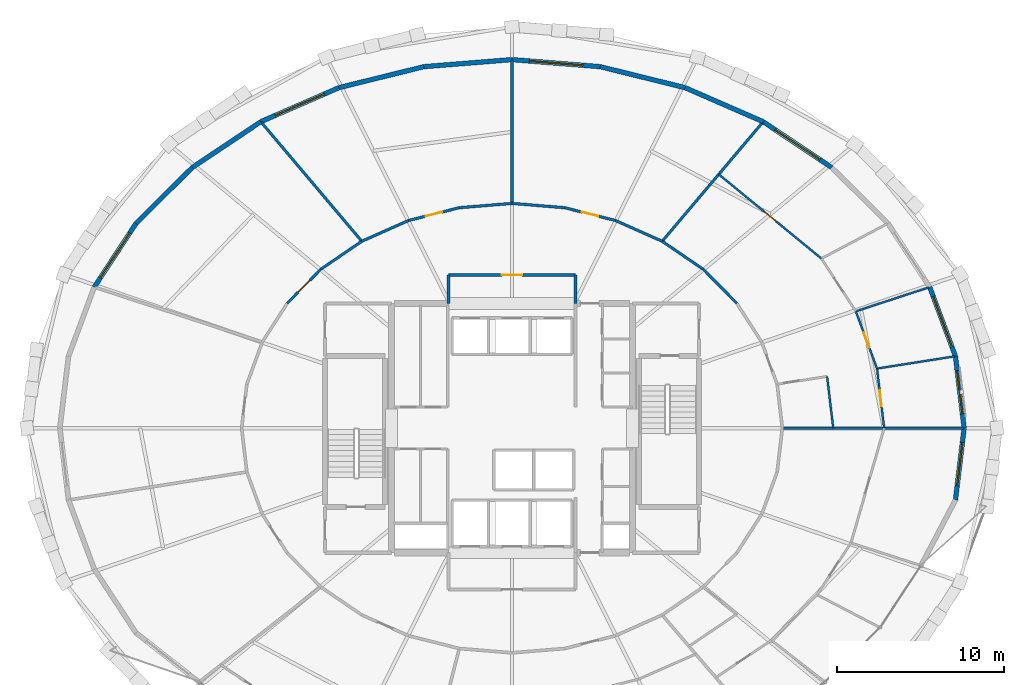
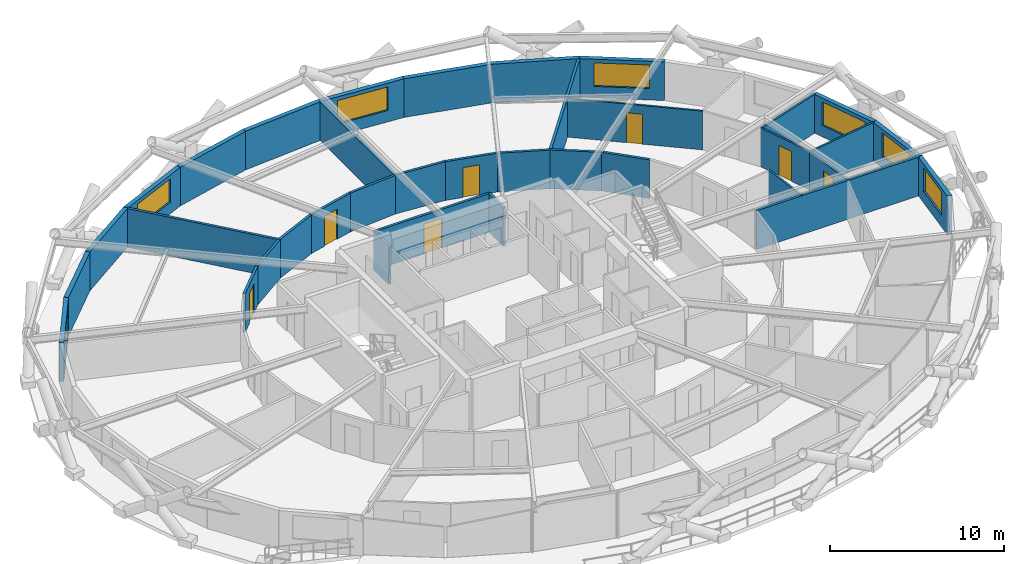
# One storey, part 16 of 19: 36 walls, 7 doors, 7 windows, 14 openings.
"""IFC4 building model written with IfcOpenShell, lengths in metres."""

from ifc_helpers import new_model, si_unit, direction, frame, frame_2d, origin, place, context, subcontext, project, spatial, rectangle, extrude, material, layer, layer_set, type_object, element, fill, save


model = new_model("IFC4")

# Units and contexts
model_context = context("Model", 3, precision=1e-05, world=origin(), true_north=direction((0.0, 1.0)))
body_context = subcontext(model_context, "Body", "Model", "MODEL_VIEW")
ifc_project = project(units=[si_unit("LENGTHUNIT", "METRE"), si_unit("AREAUNIT", "SQUARE_METRE"), si_unit("VOLUMEUNIT", "CUBIC_METRE"), si_unit("PLANEANGLEUNIT", "RADIAN"), si_unit("MASSUNIT", "GRAM", prefix="KILO")], contexts=[model_context])

# Site, building, storey
site_placement = place(None, origin())
site = spatial("IfcSite", under=ifc_project, at=site_placement, CompositionType="ELEMENT")
building_placement = place(site_placement, origin())
building = spatial("IfcBuilding", under=site, at=building_placement, Name="Veldorina Hangang Commons", CompositionType="ELEMENT")
storey_placement = place(building_placement, frame((0.0, 0.0, 77.199951171875)))
storey = spatial("IfcBuildingStorey", under=building, at=storey_placement, Name="L19", CompositionType="ELEMENT", Elevation=77.199951171875)

# Wall, opening, window
ifc_material_1 = material(Name="Stone Roman Travertine", Category="masonry")
ifc_layer_1 = layer(ifc_material_1, 0.280029296875)
ifc_layer_set_1 = layer_set([ifc_layer_1], Name="Stone Roman Travertine")
wall_type_1 = type_object("IfcWallType", Name="EW-TRAV-280", PredefinedType="STANDARD", material=ifc_layer_set_1)
wall_1_placement = place(storey_placement, frame((59.030517578125, 24.0, 0.0), z_axis=(0.0, 0.0, 1.0), x_axis=(-0.119945698674, 0.992780453761, 0.0)))
wall_1 = element("IfcWall", 1, at=wall_1_placement, inside=storey, type_object=wall_type_1, Name="L19 travertine facade wall 00", PredefinedType="STANDARD", context=body_context, shape_type="SweptSolid", body=[
    extrude(rectangle(XDim=4.329345703125, YDim=0.280029296875, at=frame_2d((2.16455078125, 0.0))), origin(), (0.0, 0.0, 1.0), 2.7099609375),
])
opening_1_placement = place(wall_1_placement, frame((0.864501953125, 0.0, 0.800048828125)))
opening_1 = element("IfcOpeningElement", 2, at=opening_1_placement, cuts=wall_1, Name="Opening W-02", PredefinedType="OPENING", context=body_context, shape_type="SweptSolid", body=[
    extrude(rectangle(XDim=2.60009765625, YDim=1.64990234375, at=frame_2d((1.300048828125, 0.824951171875))), frame((0.0, 0.14990234375, 0.0), z_axis=(0.0, -1.0, 0.0), x_axis=(1.0, 0.0, 0.0)), (0.0, 0.0, 1.0), 0.300048828125),
])
ifc_material_2 = material(Name="Glass Low-E Triple IGU", Category="glass")
window_type_1 = type_object("IfcWindowType", Name="WIN-TWR-2600", PartitioningType="SINGLE_PANEL", PredefinedType="WINDOW", material=ifc_material_2)
window_1_placement = place(opening_1_placement, origin())
window_1 = element("IfcWindow", 3, at=window_1_placement, inside=storey, type_object=window_type_1, Name="L19 facade window 00", OverallHeight=1.64990234375, OverallWidth=2.60009765625, PartitioningType="SINGLE_PANEL", PredefinedType="WINDOW", context=body_context, shape_type="SweptSolid", body=[
    extrude(rectangle(XDim=2.60009765625, YDim=1.64990234375, at=frame_2d((1.300048828125, 0.824951171875))), frame((0.0, 0.030029296875, 0.0), z_axis=(0.0, -1.0, 0.0), x_axis=(1.0, 0.0, 0.0)), (0.0, 0.0, 1.0), 0.06005859375),
])
fill(opening_1, window_1)

wall_2_placement = place(storey_placement, frame((58.51123046875, 28.298095703125, 0.0), z_axis=(0.0, 0.0, 1.0), x_axis=(-0.348859248306, 0.93717513031, 0.0)))
wall_2 = element("IfcWall", 4, at=wall_2_placement, inside=storey, type_object=wall_type_1, Name="L19 travertine facade wall 01", PredefinedType="STANDARD", context=body_context, shape_type="SweptSolid", body=[
    extrude(rectangle(XDim=4.40966796875, YDim=0.280029296875, at=frame_2d((2.204833984375, 0.0))), origin(), (0.0, 0.0, 1.0), 2.7099609375),
])
opening_2_placement = place(wall_2_placement, frame((0.604736328125, 0.0, 0.800048828125)))
opening_2 = element("IfcOpeningElement", 5, at=opening_2_placement, cuts=wall_2, Name="Opening W-01", PredefinedType="OPENING", context=body_context, shape_type="SweptSolid", body=[
    extrude(rectangle(XDim=3.199951171875, YDim=1.64990234375, at=frame_2d((1.60009765625, 0.824951171875))), frame((0.0, 0.14990234375, 0.0), z_axis=(0.0, -1.0, 0.0), x_axis=(1.0, 0.0, 0.0)), (0.0, 0.0, 1.0), 0.300048828125),
])
window_type_2 = type_object("IfcWindowType", Name="WIN-TWR-3200", PartitioningType="SINGLE_PANEL", PredefinedType="WINDOW", material=ifc_material_2)
window_2_placement = place(opening_2_placement, origin())
window_2 = element("IfcWindow", 6, at=window_2_placement, inside=storey, type_object=window_type_2, Name="L19 facade window 01", OverallHeight=1.64990234375, OverallWidth=3.199951171875, PartitioningType="SINGLE_PANEL", PredefinedType="WINDOW", context=body_context, shape_type="SweptSolid", body=[
    extrude(rectangle(XDim=3.199951171875, YDim=1.64990234375, at=frame_2d((1.60009765625, 0.824951171875))), frame((0.0, 0.030029296875, 0.0), z_axis=(0.0, -1.0, 0.0), x_axis=(1.0, 0.0, 0.0)), (0.0, 0.0, 1.0), 0.06005859375),
])
fill(opening_2, window_2)

wall_3_placement = place(storey_placement, frame((51.113525390625, 39.577880859375, 0.0), z_axis=(0.0, 0.0, 1.0), x_axis=(-0.83118805146, 0.555991387623, 0.0)))
wall_3 = element("IfcWall", 7, at=wall_3_placement, inside=storey, type_object=wall_type_1, Name="L19 travertine facade wall 04", PredefinedType="STANDARD", context=body_context, shape_type="SweptSolid", body=[
    extrude(rectangle(XDim=4.92822265625, YDim=0.280029296875, at=frame_2d((2.464111328125, 0.0))), origin(), (0.0, 0.0, 1.0), 2.7099609375),
])
opening_3_placement = place(wall_3_placement, frame((0.864013671875, 0.0, 0.800048828125)))
opening_3 = element("IfcOpeningElement", 8, at=opening_3_placement, cuts=wall_3, Name="Opening W-01", PredefinedType="OPENING", context=body_context, shape_type="SweptSolid", body=[
    extrude(rectangle(XDim=3.199951171875, YDim=1.64990234375, at=frame_2d((1.60009765625, 0.824951171875))), frame((0.0, 0.14990234375, 0.0), z_axis=(0.0, -1.0, 0.0), x_axis=(1.0, 0.0, 0.0)), (0.0, 0.0, 1.0), 0.300048828125),
])
window_3_placement = place(opening_3_placement, origin())
window_3 = element("IfcWindow", 9, at=window_3_placement, inside=storey, type_object=window_type_2, Name="L19 facade window 04", OverallHeight=1.64990234375, OverallWidth=3.199951171875, PartitioningType="SINGLE_PANEL", PredefinedType="WINDOW", context=body_context, shape_type="SweptSolid", body=[
    extrude(rectangle(XDim=3.199951171875, YDim=1.64990234375, at=frame_2d((1.60009765625, 0.824951171875))), frame((0.0, 0.030029296875, 0.0), z_axis=(0.0, -1.0, 0.0), x_axis=(1.0, 0.0, 0.0)), (0.0, 0.0, 1.0), 0.06005859375),
])
fill(opening_3, window_3)

# Walls
wall_4_placement = place(storey_placement, frame((47.017333984375, 42.31787109375, 0.0), z_axis=(0.0, 0.0, 1.0), x_axis=(-0.916792657637, 0.399363522249, 0.0)))
element("IfcWall", 10, at=wall_4_placement, inside=storey, type_object=wall_type_1, Name="L19 travertine facade wall 05", PredefinedType="STANDARD", context=body_context, shape_type="SweptSolid", body=[
    extrude(rectangle(XDim=5.09716796875, YDim=0.280029296875, at=frame_2d((2.548583984375, 0.0))), origin(), (0.0, 0.0, 1.0), 2.7099609375),
])
wall_5_placement = place(storey_placement, frame((42.34423828125, 44.353515625, 0.0), z_axis=(0.0, 0.0, 1.0), x_axis=(-0.970760664904, 0.240049435481, 0.0)))
element("IfcWall", 11, at=wall_5_placement, inside=storey, type_object=wall_type_1, Name="L19 travertine facade wall 06", PredefinedType="STANDARD", context=body_context, shape_type="SweptSolid", body=[
    extrude(rectangle(XDim=5.2236328125, YDim=0.280029296875, at=frame_2d((2.61181640625, 0.0))), origin(), (0.0, 0.0, 1.0), 2.7099609375),
])

# Wall, opening, window
wall_6_placement = place(storey_placement, frame((37.2734375, 45.607421875, 0.0), z_axis=(0.0, 0.0, 1.0), x_axis=(-0.996796910355, 0.079974492854, 0.0)))
wall_6 = element("IfcWall", 12, at=wall_6_placement, inside=storey, type_object=wall_type_1, Name="L19 travertine facade wall 07", PredefinedType="STANDARD", context=body_context, shape_type="SweptSolid", body=[
    extrude(rectangle(XDim=5.290283203125, YDim=0.280029296875, at=frame_2d((2.64501953125, 0.0))), origin(), (0.0, 0.0, 1.0), 2.7099609375),
])
opening_4_placement = place(wall_6_placement, frame((1.045166015625, 0.0, 0.800048828125)))
opening_4 = element("IfcOpeningElement", 13, at=opening_4_placement, cuts=wall_6, Name="Opening W-01", PredefinedType="OPENING", context=body_context, shape_type="SweptSolid", body=[
    extrude(rectangle(XDim=3.199951171875, YDim=1.64990234375, at=frame_2d((1.60009765625, 0.824951171875))), frame((0.0, 0.14990234375, 0.0), z_axis=(0.0, -1.0, 0.0), x_axis=(1.0, 0.0, 0.0)), (0.0, 0.0, 1.0), 0.300048828125),
])
window_4_placement = place(opening_4_placement, origin())
window_4 = element("IfcWindow", 14, at=window_4_placement, inside=storey, type_object=window_type_2, Name="L19 facade window 07", OverallHeight=1.64990234375, OverallWidth=3.199951171875, PartitioningType="SINGLE_PANEL", PredefinedType="WINDOW", context=body_context, shape_type="SweptSolid", body=[
    extrude(rectangle(XDim=3.199951171875, YDim=1.64990234375, at=frame_2d((1.60009765625, 0.824951171875))), frame((0.0, 0.030029296875, 0.0), z_axis=(0.0, -1.0, 0.0), x_axis=(1.0, 0.0, 0.0)), (0.0, 0.0, 1.0), 0.06005859375),
])
fill(opening_4, window_4)

# Walls
wall_7_placement = place(storey_placement, frame((32.0, 46.030517578125, 0.0), z_axis=(0.0, 0.0, 1.0), x_axis=(-0.996796910355, -0.079974492854, 0.0)))
element("IfcWall", 15, at=wall_7_placement, inside=storey, type_object=wall_type_1, Name="L19 travertine facade wall 08", PredefinedType="STANDARD", context=body_context, shape_type="SweptSolid", body=[
    extrude(rectangle(XDim=5.290283203125, YDim=0.280029296875, at=frame_2d((2.64501953125, 0.0))), origin(), (0.0, 0.0, 1.0), 2.7099609375),
])
wall_8_placement = place(storey_placement, frame((26.7265625, 45.607421875, 0.0), z_axis=(0.0, 0.0, 1.0), x_axis=(-0.970760664904, -0.240049435481, 0.0)))
element("IfcWall", 16, at=wall_8_placement, inside=storey, type_object=wall_type_1, Name="L19 travertine facade wall 09", PredefinedType="STANDARD", context=body_context, shape_type="SweptSolid", body=[
    extrude(rectangle(XDim=5.2236328125, YDim=0.280029296875, at=frame_2d((2.61181640625, 0.0))), origin(), (0.0, 0.0, 1.0), 2.7099609375),
])

# Wall, opening, window
wall_9_placement = place(storey_placement, frame((21.65576171875, 44.353515625, 0.0), z_axis=(0.0, 0.0, 1.0), x_axis=(-0.916792657637, -0.399363522249, 0.0)))
wall_9 = element("IfcWall", 17, at=wall_9_placement, inside=storey, type_object=wall_type_1, Name="L19 travertine facade wall 10", PredefinedType="STANDARD", context=body_context, shape_type="SweptSolid", body=[
    extrude(rectangle(XDim=5.09716796875, YDim=0.280029296875, at=frame_2d((2.548583984375, 0.0))), origin(), (0.0, 0.0, 1.0), 2.7099609375),
])
opening_5_placement = place(wall_9_placement, frame((0.94873046875, 0.0, 0.800048828125)))
opening_5 = element("IfcOpeningElement", 18, at=opening_5_placement, cuts=wall_9, Name="Opening W-01", PredefinedType="OPENING", context=body_context, shape_type="SweptSolid", body=[
    extrude(rectangle(XDim=3.199951171875, YDim=1.64990234375, at=frame_2d((1.60009765625, 0.824951171875))), frame((0.0, 0.14990234375, 0.0), z_axis=(0.0, -1.0, 0.0), x_axis=(1.0, 0.0, 0.0)), (0.0, 0.0, 1.0), 0.300048828125),
])
window_5_placement = place(opening_5_placement, origin())
window_5 = element("IfcWindow", 19, at=window_5_placement, inside=storey, type_object=window_type_2, Name="L19 facade window 10", OverallHeight=1.64990234375, OverallWidth=3.199951171875, PartitioningType="SINGLE_PANEL", PredefinedType="WINDOW", context=body_context, shape_type="SweptSolid", body=[
    extrude(rectangle(XDim=3.199951171875, YDim=1.64990234375, at=frame_2d((1.60009765625, 0.824951171875))), frame((0.0, 0.030029296875, 0.0), z_axis=(0.0, -1.0, 0.0), x_axis=(1.0, 0.0, 0.0)), (0.0, 0.0, 1.0), 0.06005859375),
])
fill(opening_5, window_5)

# Walls
wall_10_placement = place(storey_placement, frame((16.982666015625, 42.31787109375, 0.0), z_axis=(0.0, 0.0, 1.0), x_axis=(-0.83118805146, -0.555991387623, 0.0)))
element("IfcWall", 20, at=wall_10_placement, inside=storey, type_object=wall_type_1, Name="L19 travertine facade wall 11", PredefinedType="STANDARD", context=body_context, shape_type="SweptSolid", body=[
    extrude(rectangle(XDim=4.92822265625, YDim=0.280029296875, at=frame_2d((2.464111328125, 0.0))), origin(), (0.0, 0.0, 1.0), 2.7099609375),
])
wall_11_placement = place(storey_placement, frame((12.886474609375, 39.577880859375, 0.0), z_axis=(0.0, 0.0, 1.0), x_axis=(-0.709550335899, -0.704654752929, 0.0)))
element("IfcWall", 21, at=wall_11_placement, inside=storey, type_object=wall_type_1, Name="L19 travertine facade wall 12", PredefinedType="STANDARD", context=body_context, shape_type="SweptSolid", body=[
    extrude(rectangle(XDim=4.737548828125, YDim=0.280029296875, at=frame_2d((2.36865234375, 0.0))), origin(), (0.0, 0.0, 1.0), 2.7099609375),
])

# Wall, opening, window
wall_12_placement = place(storey_placement, frame((9.52490234375, 36.239501953125, 0.0), z_axis=(0.0, 0.0, 1.0), x_axis=(-0.548388300237, -0.836223817027, 0.0)))
wall_12 = element("IfcWall", 22, at=wall_12_placement, inside=storey, type_object=wall_type_1, Name="L19 travertine facade wall 13", PredefinedType="STANDARD", context=body_context, shape_type="SweptSolid", body=[
    extrude(rectangle(XDim=4.5546875, YDim=0.280029296875, at=frame_2d((2.27734375, 0.0))), origin(), (0.0, 0.0, 1.0), 2.7099609375),
])
opening_6_placement = place(wall_12_placement, frame((0.677490234375, 0.0, 0.800048828125)))
opening_6 = element("IfcOpeningElement", 23, at=opening_6_placement, cuts=wall_12, Name="Opening W-01", PredefinedType="OPENING", context=body_context, shape_type="SweptSolid", body=[
    extrude(rectangle(XDim=3.199951171875, YDim=1.64990234375, at=frame_2d((1.60009765625, 0.824951171875))), frame((0.0, 0.14990234375, 0.0), z_axis=(0.0, -1.0, 0.0), x_axis=(1.0, 0.0, 0.0)), (0.0, 0.0, 1.0), 0.300048828125),
])
window_6_placement = place(opening_6_placement, origin())
window_6 = element("IfcWindow", 24, at=window_6_placement, inside=storey, type_object=window_type_2, Name="L19 facade window 13", OverallHeight=1.64990234375, OverallWidth=3.199951171875, PartitioningType="SINGLE_PANEL", PredefinedType="WINDOW", context=body_context, shape_type="SweptSolid", body=[
    extrude(rectangle(XDim=3.199951171875, YDim=1.64990234375, at=frame_2d((1.60009765625, 0.824951171875))), frame((0.0, 0.030029296875, 0.0), z_axis=(0.0, -1.0, 0.0), x_axis=(1.0, 0.0, 0.0)), (0.0, 0.0, 1.0), 0.06005859375),
])
fill(opening_6, window_6)

wall_13_placement = place(storey_placement, frame((58.51123046875, 19.701904296875, 0.0), z_axis=(0.0, 0.0, 1.0), x_axis=(0.119945698674, 0.992780453761, 0.0)))
wall_13 = element("IfcWall", 25, at=wall_13_placement, inside=storey, type_object=wall_type_1, Name="L19 travertine facade wall 31", PredefinedType="STANDARD", context=body_context, shape_type="SweptSolid", body=[
    extrude(rectangle(XDim=4.329345703125, YDim=0.280029296875, at=frame_2d((2.16455078125, 0.0))), origin(), (0.0, 0.0, 1.0), 2.7099609375),
])
opening_7_placement = place(wall_13_placement, frame((0.864501953125, 0.0, 0.800048828125)))
opening_7 = element("IfcOpeningElement", 26, at=opening_7_placement, cuts=wall_13, Name="Opening W-02", PredefinedType="OPENING", context=body_context, shape_type="SweptSolid", body=[
    extrude(rectangle(XDim=2.60009765625, YDim=1.64990234375, at=frame_2d((1.300048828125, 0.824951171875))), frame((0.0, 0.14990234375, 0.0), z_axis=(0.0, -1.0, 0.0), x_axis=(1.0, 0.0, 0.0)), (0.0, 0.0, 1.0), 0.300048828125),
])
window_7_placement = place(opening_7_placement, origin())
window_7 = element("IfcWindow", 27, at=window_7_placement, inside=storey, type_object=window_type_1, Name="L19 facade window 31", OverallHeight=1.64990234375, OverallWidth=2.60009765625, PartitioningType="SINGLE_PANEL", PredefinedType="WINDOW", context=body_context, shape_type="SweptSolid", body=[
    extrude(rectangle(XDim=2.60009765625, YDim=1.64990234375, at=frame_2d((1.300048828125, 0.824951171875))), frame((0.0, 0.030029296875, 0.0), z_axis=(0.0, -1.0, 0.0), x_axis=(1.0, 0.0, 0.0)), (0.0, 0.0, 1.0), 0.06005859375),
])
fill(opening_7, window_7)

# Walls
ifc_material_3 = material(Name="Gypsum Fire-Rated Twin Stud Wall", Category="gypsum")
ifc_layer_2 = layer(ifc_material_3, 0.159912109375)
ifc_layer_set_2 = layer_set([ifc_layer_2], Name="Gypsum Fire-Rated Twin Stud Wall")
wall_type_2 = type_object("IfcWallType", Name="WL-FIRE-160", PredefinedType="SOLIDWALL", material=ifc_layer_set_2)
for number, where, z_axis, x_axis, name in (
    (28, (28.199951171875, 31.449951171875, 0.0), (0.0, 0.0, 1.0), (0.0, 1.0, 0.0), "L19 North lobby west wall 032"),
    (29, (35.800048828125, 31.449951171875, 0.0), (0.0, 0.0, 1.0), (0.0, 1.0, 0.0), "L19 North lobby east wall 033"),
):
    element("IfcWall", number, at=place(storey_placement, frame(where, z_axis=z_axis, x_axis=x_axis)), inside=storey, type_object=wall_type_2, Name=name, PredefinedType="SOLIDWALL", context=body_context, shape_type="SweptSolid", body=[
        extrude(rectangle(XDim=1.699951171875, YDim=0.159912109375, at=frame_2d((0.85009765625, 0.0))), origin(), (0.0, 0.0, 1.0), 2.7099609375),
    ])

# Wall, opening, door
wall_14_placement = place(storey_placement, frame((28.199951171875, 33.14990234375, 0.0), z_axis=(0.0, 0.0, 1.0), x_axis=(1.0, 0.0, 0.0)))
wall_14 = element("IfcWall", 30, at=wall_14_placement, inside=storey, type_object=wall_type_2, Name="L19 North lobby north wall 034", PredefinedType="SOLIDWALL", context=body_context, shape_type="SweptSolid", body=[
    extrude(rectangle(XDim=7.60009765625, YDim=0.159912109375, at=frame_2d((3.800048828125, 0.0))), origin(), (0.0, 0.0, 1.0), 2.7099609375),
])
opening_8_placement = place(wall_14_placement, frame((3.199951171875, 0.0, 0.0)))
opening_8 = element("IfcOpeningElement", 31, at=opening_8_placement, cuts=wall_14, Name="Opening D-09", PredefinedType="OPENING", context=body_context, shape_type="SweptSolid", body=[
    extrude(rectangle(XDim=1.199951171875, YDim=2.10009765625, at=frame_2d((0.60009765625, 1.050048828125))), frame((0.0, 0.08984375, 0.0), z_axis=(0.0, -1.0, 0.0), x_axis=(1.0, 0.0, 0.0)), (0.0, 0.0, 1.0), 0.179931640625),
])
ifc_material_4 = material(Name="Steel Fire-Rated Corridor Door", Category="steel")
door_type_1 = type_object("IfcDoorType", Name="DR-FIRE-1200", OperationType="SINGLE_SWING_LEFT", PredefinedType="DOOR", material=ifc_material_4)
door_1_placement = place(opening_8_placement, origin())
door_1 = element("IfcDoor", 32, at=door_1_placement, inside=storey, type_object=door_type_1, Name="L19 North lift lobby corridor door 012", OperationType="SINGLE_SWING_RIGHT", OverallHeight=2.10009765625, OverallWidth=1.199951171875, PredefinedType="DOOR", context=body_context, shape_type="SweptSolid", body=[
    extrude(rectangle(XDim=1.199951171875, YDim=2.10009765625, at=frame_2d((0.60009765625, 1.050048828125))), frame((0.0, 0.02490234375, 0.0), z_axis=(0.0, -1.0, 0.0), x_axis=(1.0, 0.0, 0.0)), (0.0, 0.0, 1.0), 0.050048828125),
])
fill(opening_8, door_1)

# Walls
wall_15_placement = place(storey_placement, frame((45.438232421875, 31.46337890625, 0.0), z_axis=(0.0, 0.0, 1.0), x_axis=(-0.702569520063, 0.711615113301, 0.0)))
element("IfcWall", 33, at=wall_15_placement, inside=storey, type_object=wall_type_2, Name="L19 Corridor outer wall 03 053", PredefinedType="SOLIDWALL", context=body_context, shape_type="SweptSolid", body=[
    extrude(rectangle(XDim=2.86083984375, YDim=0.159912109375, at=frame_2d((1.430419921875, 0.0))), origin(), (0.0, 0.0, 1.0), 2.7099609375),
])
wall_16_placement = place(storey_placement, frame((43.42822265625, 33.499267578125, 0.0), z_axis=(0.0, 0.0, 1.0), x_axis=(-0.826112340767, 0.563505457323, 0.0)))
element("IfcWall", 34, at=wall_16_placement, inside=storey, type_object=wall_type_2, Name="L19 Corridor outer wall 04 054", PredefinedType="SOLIDWALL", context=body_context, shape_type="SweptSolid", body=[
    extrude(rectangle(XDim=2.96484375, YDim=0.159912109375, at=frame_2d((1.482421875, 0.0))), origin(), (0.0, 0.0, 1.0), 2.7099609375),
])
wall_17_placement = place(storey_placement, frame((40.97900390625, 35.169921875, 0.0), z_axis=(0.0, 0.0, 1.0), x_axis=(-0.913860932409, 0.406027334321, 0.0)))
element("IfcWall", 35, at=wall_17_placement, inside=storey, type_object=wall_type_2, Name="L19 Corridor outer wall 05 055", PredefinedType="SOLIDWALL", context=body_context, shape_type="SweptSolid", body=[
    extrude(rectangle(XDim=3.0576171875, YDim=0.159912109375, at=frame_2d((1.52880859375, 0.0))), origin(), (0.0, 0.0, 1.0), 2.7099609375),
])

# Wall, opening, door
wall_18_placement = place(storey_placement, frame((38.184814453125, 36.411376953125, 0.0), z_axis=(0.0, 0.0, 1.0), x_axis=(-0.969653665365, 0.244482656326, 0.0)))
wall_18 = element("IfcWall", 36, at=wall_18_placement, inside=storey, type_object=wall_type_2, Name="L19 Corridor outer wall 06 056", PredefinedType="SOLIDWALL", context=body_context, shape_type="SweptSolid", body=[
    extrude(rectangle(XDim=3.126708984375, YDim=0.159912109375, at=frame_2d((1.5634765625, 0.0))), origin(), (0.0, 0.0, 1.0), 2.7099609375),
])
opening_9_placement = place(wall_18_placement, frame((1.0634765625, 0.0, 0.0)))
opening_9 = element("IfcOpeningElement", 37, at=opening_9_placement, cuts=wall_18, Name="Opening D-05", PredefinedType="OPENING", context=body_context, shape_type="SweptSolid", body=[
    extrude(rectangle(XDim=1.0, YDim=2.10009765625, at=frame_2d((0.5, 1.050048828125))), frame((0.0, 0.08984375, 0.0), z_axis=(0.0, -1.0, 0.0), x_axis=(1.0, 0.0, 0.0)), (0.0, 0.0, 1.0), 0.179931640625),
])
ifc_material_5 = material(Name="Timber Solid Core Acoustic", Category="wood")
door_type_2 = type_object("IfcDoorType", Name="DR-INT-1000", OperationType="SINGLE_SWING_RIGHT", PredefinedType="DOOR", material=ifc_material_5)
door_2_placement = place(opening_9_placement, origin())
door_2 = element("IfcDoor", 38, at=door_2_placement, inside=storey, type_object=door_type_2, Name="L19 Floor Study Room 4 door 036", OperationType="SINGLE_SWING_RIGHT", OverallHeight=2.10009765625, OverallWidth=1.0, PredefinedType="DOOR", context=body_context, shape_type="SweptSolid", body=[
    extrude(rectangle(XDim=1.0, YDim=2.10009765625, at=frame_2d((0.5, 1.050048828125))), frame((0.0, 0.02490234375, 0.0), z_axis=(0.0, -1.0, 0.0), x_axis=(1.0, 0.0, 0.0)), (0.0, 0.0, 1.0), 0.050048828125),
])
fill(opening_9, door_2)

# Walls
for number, where, z_axis, x_axis, name in (
    (39, (35.153076171875, 37.17578125, 0.0), (0.0, 0.0, 1.0), (-0.996661331307, 0.081646743207, 0.0), "L19 Corridor outer wall 07 057"),
    (40, (32.0, 37.43408203125, 0.0), (0.0, 0.0, 1.0), (-0.996661331307, -0.081646743207, 0.0), "L19 Corridor outer wall 08 058"),
):
    element("IfcWall", number, at=place(storey_placement, frame(where, z_axis=z_axis, x_axis=x_axis)), inside=storey, type_object=wall_type_2, Name=name, PredefinedType="SOLIDWALL", context=body_context, shape_type="SweptSolid", body=[
        extrude(rectangle(XDim=3.16357421875, YDim=0.159912109375, at=frame_2d((1.581787109375, 0.0))), origin(), (0.0, 0.0, 1.0), 2.7099609375),
    ])

# Wall, opening, door
wall_19_placement = place(storey_placement, frame((28.846923828125, 37.17578125, 0.0), z_axis=(0.0, 0.0, 1.0), x_axis=(-0.969653665365, -0.244482656326, 0.0)))
wall_19 = element("IfcWall", 41, at=wall_19_placement, inside=storey, type_object=wall_type_2, Name="L19 Corridor outer wall 09 059", PredefinedType="SOLIDWALL", context=body_context, shape_type="SweptSolid", body=[
    extrude(rectangle(XDim=3.126708984375, YDim=0.159912109375, at=frame_2d((1.5634765625, 0.0))), origin(), (0.0, 0.0, 1.0), 2.7099609375),
])
opening_10_placement = place(wall_19_placement, frame((1.0634765625, 0.0, 0.0)))
opening_10 = element("IfcOpeningElement", 42, at=opening_10_placement, cuts=wall_19, Name="Opening D-05", PredefinedType="OPENING", context=body_context, shape_type="SweptSolid", body=[
    extrude(rectangle(XDim=1.0, YDim=2.10009765625, at=frame_2d((0.5, 1.050048828125))), frame((0.0, 0.08984375, 0.0), z_axis=(0.0, -1.0, 0.0), x_axis=(1.0, 0.0, 0.0)), (0.0, 0.0, 1.0), 0.179931640625),
])
door_3_placement = place(opening_10_placement, origin())
door_3 = element("IfcDoor", 43, at=door_3_placement, inside=storey, type_object=door_type_2, Name="L19 Floor Study Room 5 door 037", OperationType="SINGLE_SWING_LEFT", OverallHeight=2.10009765625, OverallWidth=1.0, PredefinedType="DOOR", context=body_context, shape_type="SweptSolid", body=[
    extrude(rectangle(XDim=1.0, YDim=2.10009765625, at=frame_2d((0.5, 1.050048828125))), frame((0.0, 0.02490234375, 0.0), z_axis=(0.0, -1.0, 0.0), x_axis=(1.0, 0.0, 0.0)), (0.0, 0.0, 1.0), 0.050048828125),
])
fill(opening_10, door_3)

# Walls
wall_20_placement = place(storey_placement, frame((25.815185546875, 36.411376953125, 0.0), z_axis=(0.0, 0.0, 1.0), x_axis=(-0.913860932409, -0.406027334321, 0.0)))
element("IfcWall", 44, at=wall_20_placement, inside=storey, type_object=wall_type_2, Name="L19 Corridor outer wall 10 060", PredefinedType="SOLIDWALL", context=body_context, shape_type="SweptSolid", body=[
    extrude(rectangle(XDim=3.0576171875, YDim=0.159912109375, at=frame_2d((1.52880859375, 0.0))), origin(), (0.0, 0.0, 1.0), 2.7099609375),
])
wall_21_placement = place(storey_placement, frame((23.02099609375, 35.169921875, 0.0), z_axis=(0.0, 0.0, 1.0), x_axis=(-0.826112340767, -0.563505457323, 0.0)))
element("IfcWall", 45, at=wall_21_placement, inside=storey, type_object=wall_type_2, Name="L19 Corridor outer wall 11 061", PredefinedType="SOLIDWALL", context=body_context, shape_type="SweptSolid", body=[
    extrude(rectangle(XDim=2.96484375, YDim=0.159912109375, at=frame_2d((1.482421875, 0.0))), origin(), (0.0, 0.0, 1.0), 2.7099609375),
])

# Wall, opening, door
wall_22_placement = place(storey_placement, frame((20.57177734375, 33.499267578125, 0.0), z_axis=(0.0, 0.0, 1.0), x_axis=(-0.702569520063, -0.711615113301, 0.0)))
wall_22 = element("IfcWall", 46, at=wall_22_placement, inside=storey, type_object=wall_type_2, Name="L19 Corridor outer wall 12 062", PredefinedType="SOLIDWALL", context=body_context, shape_type="SweptSolid", body=[
    extrude(rectangle(XDim=2.86083984375, YDim=0.159912109375, at=frame_2d((1.430419921875, 0.0))), origin(), (0.0, 0.0, 1.0), 2.7099609375),
])
opening_11_placement = place(wall_22_placement, frame((0.930419921875, 0.0, 0.0)))
opening_11 = element("IfcOpeningElement", 47, at=opening_11_placement, cuts=wall_22, Name="Opening D-05", PredefinedType="OPENING", context=body_context, shape_type="SweptSolid", body=[
    extrude(rectangle(XDim=1.0, YDim=2.10009765625, at=frame_2d((0.5, 1.050048828125))), frame((0.0, 0.08984375, 0.0), z_axis=(0.0, -1.0, 0.0), x_axis=(1.0, 0.0, 0.0)), (0.0, 0.0, 1.0), 0.179931640625),
])
door_4_placement = place(opening_11_placement, origin())
door_4 = element("IfcDoor", 48, at=door_4_placement, inside=storey, type_object=door_type_2, Name="L19 Floor Study Room 6 door 038", OperationType="SINGLE_SWING_RIGHT", OverallHeight=2.10009765625, OverallWidth=1.0, PredefinedType="DOOR", context=body_context, shape_type="SweptSolid", body=[
    extrude(rectangle(XDim=1.0, YDim=2.10009765625, at=frame_2d((0.5, 1.050048828125))), frame((0.0, 0.02490234375, 0.0), z_axis=(0.0, -1.0, 0.0), x_axis=(1.0, 0.0, 0.0)), (0.0, 0.0, 1.0), 0.050048828125),
])
fill(opening_11, door_4)

# Walls
wall_23_placement = place(storey_placement, frame((48.162109375, 24.0, 0.0), z_axis=(0.0, 0.0, 1.0), x_axis=(1.0, 0.0, 0.0)))
element("IfcWall", 49, at=wall_23_placement, inside=storey, type_object=wall_type_2, Name="L19 Unit party wall 00 097", PredefinedType="SOLIDWALL", context=body_context, shape_type="SweptSolid", body=[
    extrude(rectangle(XDim=10.818603515625, YDim=0.159912109375, at=frame_2d((5.4091796875, 0.0))), origin(), (0.0, 0.0, 1.0), 2.7099609375),
])
wall_24_placement = place(storey_placement, frame((40.97900390625, 35.169921875, 0.0), z_axis=(0.0, 0.0, 1.0), x_axis=(0.645332911196, 0.763901455508, 0.0)))
element("IfcWall", 50, at=wall_24_placement, inside=storey, type_object=wall_type_2, Name="L19 Unit party wall 05 107", PredefinedType="SOLIDWALL", context=body_context, shape_type="SweptSolid", body=[
    extrude(rectangle(XDim=9.306884765625, YDim=0.159912109375, at=frame_2d((4.6533203125, 0.0))), origin(), (0.0, 0.0, 1.0), 2.7099609375),
])
wall_25_placement = place(storey_placement, frame((32.0, 37.43408203125, 0.0), z_axis=(0.0, 0.0, 1.0), x_axis=(0.0, 1.0, 0.0)))
element("IfcWall", 51, at=wall_25_placement, inside=storey, type_object=wall_type_2, Name="L19 Unit party wall 08 108", PredefinedType="SOLIDWALL", context=body_context, shape_type="SweptSolid", body=[
    extrude(rectangle(XDim=8.546630859375, YDim=0.159912109375, at=frame_2d((4.2734375, 0.0))), origin(), (0.0, 0.0, 1.0), 2.7099609375),
])
wall_26_placement = place(storey_placement, frame((23.02099609375, 35.169921875, 0.0), z_axis=(0.0, 0.0, 1.0), x_axis=(-0.645332911196, 0.763901455508, 0.0)))
element("IfcWall", 52, at=wall_26_placement, inside=storey, type_object=wall_type_2, Name="L19 Unit party wall 11 109", PredefinedType="SOLIDWALL", context=body_context, shape_type="SweptSolid", body=[
    extrude(rectangle(XDim=9.306884765625, YDim=0.159912109375, at=frame_2d((4.6533203125, 0.0))), origin(), (0.0, 0.0, 1.0), 2.7099609375),
])
ifc_material_6 = material(Name="Gypsum Acoustic Stud Partition", Category="gypsum")
ifc_layer_3 = layer(ifc_material_6, 0.1201171875)
ifc_layer_set_3 = layer_set([ifc_layer_3], Name="Gypsum Acoustic Stud Partition")
wall_type_3 = type_object("IfcWallType", Name="WL-PART-120", PredefinedType="PARTITIONING", material=ifc_layer_set_3)
wall_27_placement = place(storey_placement, frame((51.205078125, 24.0, 0.0), z_axis=(0.0, 0.0, 1.0), x_axis=(-0.118529643461, 0.992950514185, 0.0)))
element("IfcWall", 53, at=wall_27_placement, inside=storey, type_object=wall_type_3, Name="L19 Cluster 3 bath front wall 098", PredefinedType="PARTITIONING", context=body_context, shape_type="SweptSolid", body=[
    extrude(rectangle(XDim=3.1123046875, YDim=0.1201171875, at=frame_2d((1.55615234375, 0.0))), origin(), (0.0, 0.0, 1.0), 2.7099609375),
])

# Wall, opening, door
wall_28_placement = place(storey_placement, frame((54.248291015625, 24.0, 0.0), z_axis=(0.0, 0.0, 1.0), x_axis=(-0.119223081784, 0.99286749205, 0.0)))
wall_28 = element("IfcWall", 54, at=wall_28_placement, inside=storey, type_object=wall_type_3, Name="L19 Cluster 3 bed 1 front wall 100", PredefinedType="PARTITIONING", context=body_context, shape_type="SweptSolid", body=[
    extrude(rectangle(XDim=3.585693359375, YDim=0.1201171875, at=frame_2d((1.79296875, 0.0))), origin(), (0.0, 0.0, 1.0), 2.7099609375),
])
opening_12_placement = place(wall_28_placement, frame((1.31787109375, 0.0, 0.0)))
opening_12 = element("IfcOpeningElement", 55, at=opening_12_placement, cuts=wall_28, Name="Opening D-02", PredefinedType="OPENING", context=body_context, shape_type="SweptSolid", body=[
    extrude(rectangle(XDim=0.949951171875, YDim=2.10009765625, at=frame_2d((0.47509765625, 1.050048828125))), frame((0.0, 0.070068359375, 0.0), z_axis=(0.0, -1.0, 0.0), x_axis=(1.0, 0.0, 0.0)), (0.0, 0.0, 1.0), 0.14013671875),
])
door_type_3 = type_object("IfcDoorType", Name="DR-INT-950", OperationType="SINGLE_SWING_LEFT", PredefinedType="DOOR", material=ifc_material_5)
door_5_placement = place(opening_12_placement, origin())
door_5 = element("IfcDoor", 56, at=door_5_placement, inside=storey, type_object=door_type_3, Name="L19 Cluster 3 bed 1 door 032", OperationType="SINGLE_SWING_RIGHT", OverallHeight=2.10009765625, OverallWidth=0.949951171875, PredefinedType="DOOR", context=body_context, shape_type="SweptSolid", body=[
    extrude(rectangle(XDim=0.949951171875, YDim=2.10009765625, at=frame_2d((0.47509765625, 1.050048828125))), frame((0.0, 0.02490234375, 0.0), z_axis=(0.0, -1.0, 0.0), x_axis=(1.0, 0.0, 0.0)), (0.0, 0.0, 1.0), 0.050048828125),
])
fill(opening_12, door_5)

wall_29_placement = place(storey_placement, frame((53.82080078125, 27.56005859375, 0.0), z_axis=(0.0, 0.0, 1.0), x_axis=(-0.34690473698, 0.937900369688, 0.0)))
wall_29 = element("IfcWall", 57, at=wall_29_placement, inside=storey, type_object=wall_type_3, Name="L19 Cluster 3 bed 2 front wall 101", PredefinedType="PARTITIONING", context=body_context, shape_type="SweptSolid", body=[
    extrude(rectangle(XDim=3.649658203125, YDim=0.1201171875, at=frame_2d((1.82470703125, 0.0))), origin(), (0.0, 0.0, 1.0), 2.7099609375),
])
opening_13_placement = place(wall_29_placement, frame((1.349853515625, 0.0, 0.0)))
opening_13 = element("IfcOpeningElement", 58, at=opening_13_placement, cuts=wall_29, Name="Opening D-02", PredefinedType="OPENING", context=body_context, shape_type="SweptSolid", body=[
    extrude(rectangle(XDim=0.949951171875, YDim=2.10009765625, at=frame_2d((0.47509765625, 1.050048828125))), frame((0.0, 0.070068359375, 0.0), z_axis=(0.0, -1.0, 0.0), x_axis=(1.0, 0.0, 0.0)), (0.0, 0.0, 1.0), 0.14013671875),
])
door_6_placement = place(opening_13_placement, origin())
door_6 = element("IfcDoor", 59, at=door_6_placement, inside=storey, type_object=door_type_3, Name="L19 Cluster 3 bed 2 door 033", OperationType="SINGLE_SWING_LEFT", OverallHeight=2.10009765625, OverallWidth=0.949951171875, PredefinedType="DOOR", context=body_context, shape_type="SweptSolid", body=[
    extrude(rectangle(XDim=0.949951171875, YDim=2.10009765625, at=frame_2d((0.47509765625, 1.050048828125))), frame((0.0, 0.02490234375, 0.0), z_axis=(0.0, -1.0, 0.0), x_axis=(1.0, 0.0, 0.0)), (0.0, 0.0, 1.0), 0.050048828125),
])
fill(opening_13, door_6)

# Walls
wall_30_placement = place(storey_placement, frame((53.82080078125, 27.56005859375, 0.0), z_axis=(0.0, 0.0, 1.0), x_axis=(0.987847508, 0.15542619129, 0.0)))
element("IfcWall", 60, at=wall_30_placement, inside=storey, type_object=wall_type_3, Name="L19 Cluster 3 bed divider 1 102", PredefinedType="PARTITIONING", context=body_context, shape_type="SweptSolid", body=[
    extrude(rectangle(XDim=4.6982421875, YDim=0.1201171875, at=frame_2d((2.34912109375, 0.0))), origin(), (0.0, 0.0, 1.0), 2.7099609375),
])
wall_31_placement = place(storey_placement, frame((52.5546875, 30.983154296875, 0.0), z_axis=(0.0, 0.0, 1.0), x_axis=(0.950305508021, 0.311318874186, 0.0)))
element("IfcWall", 61, at=wall_31_placement, inside=storey, type_object=wall_type_3, Name="L19 Cluster 3 bed divider 2 104", PredefinedType="PARTITIONING", context=body_context, shape_type="SweptSolid", body=[
    extrude(rectangle(XDim=4.599365234375, YDim=0.1201171875, at=frame_2d((2.2998046875, 0.0))), origin(), (0.0, 0.0, 1.0), 2.7099609375),
])

# Wall, opening, door
wall_32_placement = place(storey_placement, frame((50.498779296875, 34.13818359375, 0.0), z_axis=(0.0, 0.0, 1.0), x_axis=(-0.773183947555, 0.634181821911, 0.0)))
wall_32 = element("IfcWall", 62, at=wall_32_placement, inside=storey, type_object=wall_type_3, Name="L19 Cluster 3 bed 4 front wall 105", PredefinedType="PARTITIONING", context=body_context, shape_type="SweptSolid", body=[
    extrude(rectangle(XDim=7.938720703125, YDim=0.1201171875, at=frame_2d((3.96923828125, 0.0))), origin(), (0.0, 0.0, 1.0), 2.7099609375),
])
opening_14_placement = place(wall_32_placement, frame((3.494384765625, 0.0, 0.0)))
opening_14 = element("IfcOpeningElement", 63, at=opening_14_placement, cuts=wall_32, Name="Opening D-02", PredefinedType="OPENING", context=body_context, shape_type="SweptSolid", body=[
    extrude(rectangle(XDim=0.949951171875, YDim=2.10009765625, at=frame_2d((0.47509765625, 1.050048828125))), frame((0.0, 0.070068359375, 0.0), z_axis=(0.0, -1.0, 0.0), x_axis=(1.0, 0.0, 0.0)), (0.0, 0.0, 1.0), 0.14013671875),
])
door_7_placement = place(opening_14_placement, origin())
door_7 = element("IfcDoor", 64, at=door_7_placement, inside=storey, type_object=door_type_3, Name="L19 Cluster 3 bed 4 door 035", OperationType="SINGLE_SWING_LEFT", OverallHeight=2.10009765625, OverallWidth=0.949951171875, PredefinedType="DOOR", context=body_context, shape_type="SweptSolid", body=[
    extrude(rectangle(XDim=0.949951171875, YDim=2.10009765625, at=frame_2d((0.47509765625, 1.050048828125))), frame((0.0, 0.02490234375, 0.0), z_axis=(0.0, -1.0, 0.0), x_axis=(1.0, 0.0, 0.0)), (0.0, 0.0, 1.0), 0.050048828125),
])
fill(opening_14, door_7)

save(model, "model.ifc")
